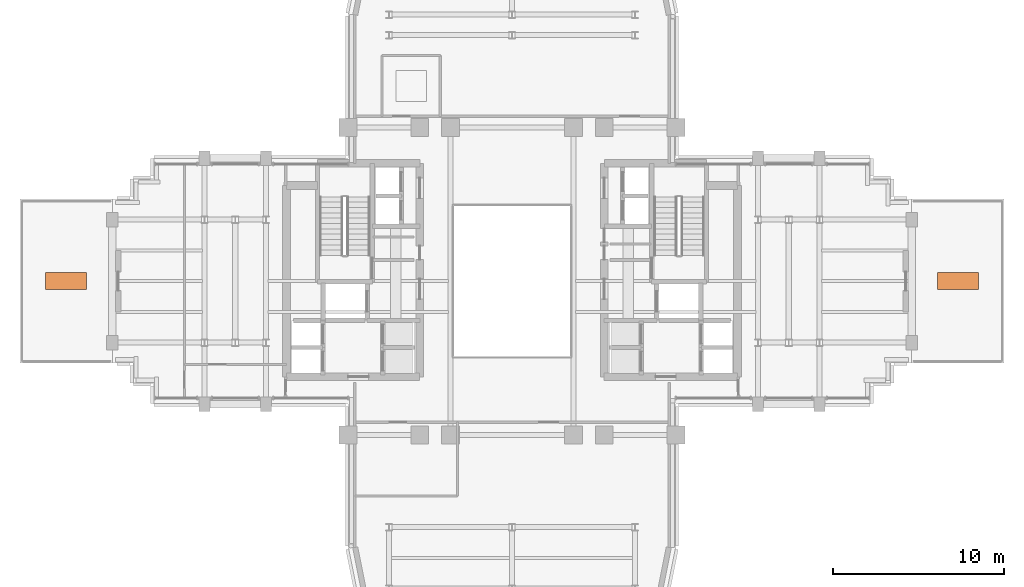
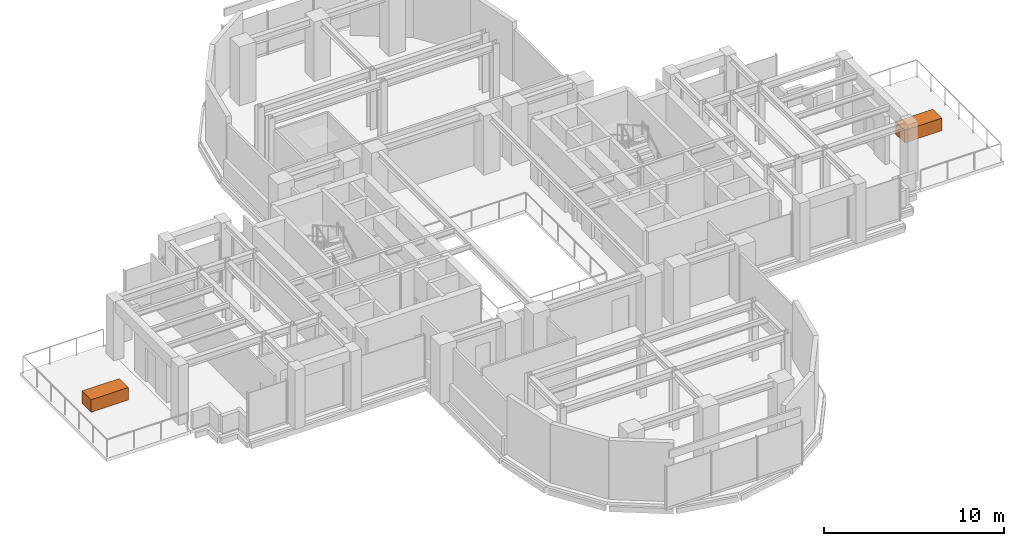
# One storey, part 16 of 16: 2 proxies.
"""IFC4 building model written with IfcOpenShell, lengths in metres."""

from ifc_helpers import new_model, si_unit, direction, frame, origin, origin_2d, place, context, subcontext, project, spatial, rectangle, extrude, source, transform, mapped, material, type_object, element, save


model = new_model("IFC4")

# Units and contexts
model_context = context("Model", 3, precision=1e-05, world=origin(), true_north=direction((0.0, 1.0)))
body_context = subcontext(model_context, "Body", "Model", "MODEL_VIEW")
ifc_project = project(units=[si_unit("LENGTHUNIT", "METRE"), si_unit("AREAUNIT", "SQUARE_METRE"), si_unit("VOLUMEUNIT", "CUBIC_METRE"), si_unit("PLANEANGLEUNIT", "RADIAN"), si_unit("MASSUNIT", "GRAM", prefix="KILO")], contexts=[model_context])

# Site, building, storey
site_placement = place(None, origin())
site = spatial("IfcSite", under=ifc_project, at=site_placement, CompositionType="ELEMENT")
building_placement = place(site_placement, origin())
building = spatial("IfcBuilding", under=site, at=building_placement, Name="Keilestroom Media Tower", CompositionType="ELEMENT")
storey_placement = place(building_placement, frame((0.0, 0.0, 93.0)))
storey = spatial("IfcBuildingStorey", under=building, at=storey_placement, Name="L24", CompositionType="ELEMENT", Elevation=93.0)

# Proxies
ifc_material = material(Name="Precast concrete C40/50", Category="concrete")
building_element_proxy_type = type_object("IfcBuildingElementProxyType", Name="Sky-Garden-Planter-Box-PRX-1", PredefinedType="USERDEFINED", material=ifc_material)
shared_shape = source(origin(), body_context, "Body", "SweptSolid", [
    extrude(rectangle(XDim=2.39990234375, YDim=1.0, at=origin_2d()), origin(), (0.0, 0.0, 1.0), 0.85009765625),
])
for number, where, z_axis, x_axis, name in (
    (1, (-26.10009765625, 0.0, 0.0), (0.0, 0.0, 1.0), (1.0, 0.0, 0.0), "L24 Sky-Garden Planter Box SG24-W"),
    (2, (26.10009765625, 0.0, 0.0), (0.0, 0.0, 1.0), (1.0, 0.0, 0.0), "L24 Sky-Garden Planter Box SG24-E"),
):
    element("IfcBuildingElementProxy", number, at=place(storey_placement, frame(where, z_axis=z_axis, x_axis=x_axis)), inside=storey, type_object=building_element_proxy_type, Name=name, ObjectType="PLANTER", PredefinedType="USERDEFINED", context=body_context, shape_type="MappedRepresentation", body=[
        mapped(shared_shape, transform((0.0, 0.0, 0.0), x_axis=(1.0, 0.0, 0.0), y_axis=(0.0, 1.0, 0.0), z_axis=(0.0, 0.0, 1.0), scale=1.0)),
    ])

save(model, "model.ifc")
